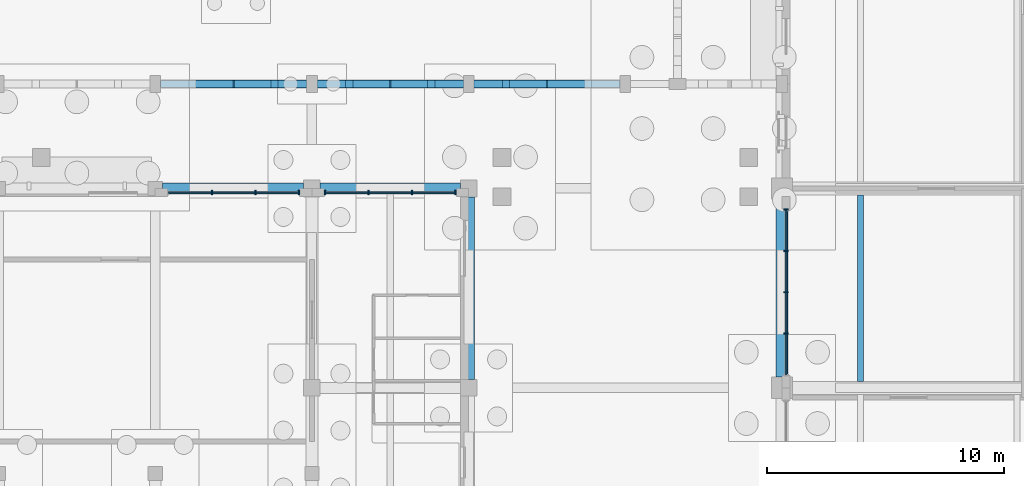
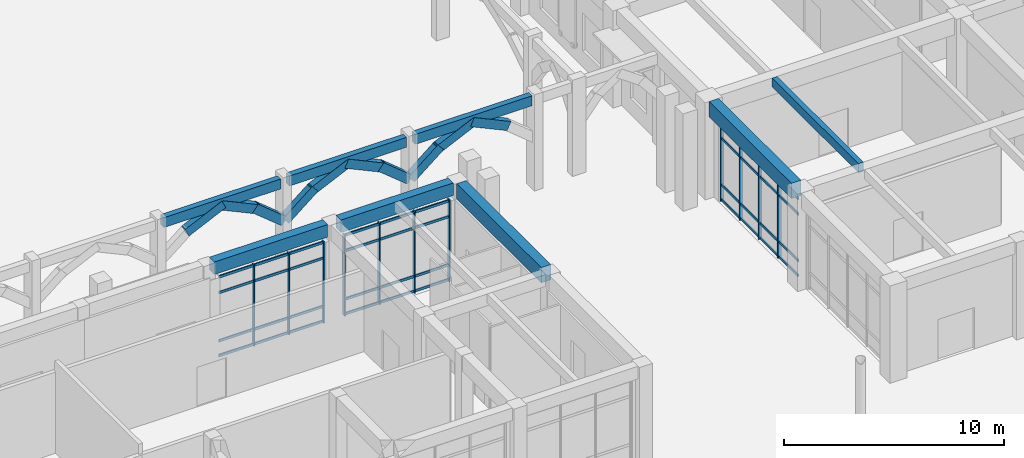
# One storey, part 33 of 82: 33 members, 8 beams, 3 elements without a shape of their own.
"""IFC4 building model written with IfcOpenShell, lengths in metres."""

from ifc_helpers import new_model, si_unit, direction, frame, origin, origin_2d, place, context, subcontext, project, spatial, rectangle, extrude, material, layer, layer_set, material_profile, profile_set, type_object, element, aggregate, save


model = new_model("IFC4")

# Units and contexts
model_context = context("Model", 3, precision=1e-05, world=origin(), true_north=direction((0.0, 1.0)))
body_context = subcontext(model_context, "Body", "Model", "MODEL_VIEW")
ifc_project = project(units=[si_unit("LENGTHUNIT", "METRE"), si_unit("AREAUNIT", "SQUARE_METRE"), si_unit("VOLUMEUNIT", "CUBIC_METRE"), si_unit("PLANEANGLEUNIT", "RADIAN"), si_unit("MASSUNIT", "GRAM", prefix="KILO")], contexts=[model_context])

# Site, building, storey
site_placement = place(None, origin())
site = spatial("IfcSite", under=ifc_project, at=site_placement, CompositionType="ELEMENT")
building_placement = place(site_placement, origin())
building = spatial("IfcBuilding", under=site, at=building_placement, Name="Kolvaren Faculty of Natural Sciences", CompositionType="ELEMENT")
storey_placement = place(building_placement, origin())
storey = spatial("IfcBuildingStorey", under=building, at=storey_placement, Name="L00", CompositionType="ELEMENT", Elevation=0.0)

# Curtain wall, members
ifc_material_1 = material(Name="Thermally broken anodised aluminium framing", Category="aluminium")
ifc_layer_1 = layer(ifc_material_1, 0.179931640625)
ifc_layer_set_1 = layer_set([ifc_layer_1], Name="Thermally broken anodised aluminium framing")
curtain_wall_type_1 = type_object("IfcCurtainWallType", Name="AtriumCurtainWall_CW01", PredefinedType="NOTDEFINED", material=ifc_layer_set_1)
curtain_wall_1_placement = place(storey_placement, origin())
curtain_wall_1 = element("IfcCurtainWall", 1, at=curtain_wall_1_placement, inside=storey, type_object=curtain_wall_type_1, Name="L00 unitised curtain wall CW-01 (CW-L00-011)", PredefinedType="NOTDEFINED")
ifc_material_profile_1 = material_profile(ifc_material_1, rectangle(XDim=0.06005859375, YDim=0.179931640625, at=origin_2d()), Name="ALU MUL 60x180")
ifc_profile_set_1 = profile_set([ifc_material_profile_1], Name="Thermally broken anodised aluminium framing")
member_type_1 = type_object("IfcMemberType", Name="CurtainMullion_60x180", PredefinedType="MULLION", material=ifc_profile_set_1)
member_1_placement = place(storey_placement, frame((94.9833984375, 84.030029296875, 0.0), z_axis=(0.0, 0.0, 1.0), x_axis=(1.0, 0.0, 0.0)))
member_1 = element("IfcMember", 2, at=member_1_placement, type_object=member_type_1, Name="CW-L00-011 vertical mullion 2", PredefinedType="MULLION", context=body_context, shape_type="SweptSolid", body=[
    extrude(rectangle(XDim=0.06005859375, YDim=0.179931640625, at=origin_2d()), origin(), (0.0, 0.0, 1.0), 4.534912109375),
])
member_2_placement = place(storey_placement, frame((96.816650390625, 84.030029296875, 0.0), z_axis=(0.0, 0.0, 1.0), x_axis=(1.0, 0.0, 0.0)))
member_2 = element("IfcMember", 3, at=member_2_placement, type_object=member_type_1, Name="CW-L00-011 vertical mullion 3", PredefinedType="MULLION", context=body_context, shape_type="SweptSolid", body=[
    extrude(rectangle(XDim=0.06005859375, YDim=0.179931640625, at=origin_2d()), origin(), (0.0, 0.0, 1.0), 4.534912109375),
])
member_3_placement = place(storey_placement, frame((98.64990234375, 84.030029296875, 0.0), z_axis=(0.0, 0.0, 1.0), x_axis=(1.0, 0.0, 0.0)))
member_3 = element("IfcMember", 4, at=member_3_placement, type_object=member_type_1, Name="CW-L00-011 vertical mullion 4", PredefinedType="MULLION", context=body_context, shape_type="SweptSolid", body=[
    extrude(rectangle(XDim=0.06005859375, YDim=0.179931640625, at=origin_2d()), origin(), (0.0, 0.0, 1.0), 4.534912109375),
])

curtain_wall_2_placement = place(storey_placement, origin())
curtain_wall_2 = element("IfcCurtainWall", 5, at=curtain_wall_2_placement, inside=storey, type_object=curtain_wall_type_1, Name="L00 unitised curtain wall CW-01 (CW-L00-012)", PredefinedType="NOTDEFINED")
member_4_placement = place(storey_placement, frame((99.75, 84.030029296875, 0.0), z_axis=(0.0, 0.0, 1.0), x_axis=(1.0, 0.0, 0.0)))
member_4 = element("IfcMember", 6, at=member_4_placement, type_object=member_type_1, Name="CW-L00-012 vertical mullion 1", PredefinedType="MULLION", context=body_context, shape_type="SweptSolid", body=[
    extrude(rectangle(XDim=0.06005859375, YDim=0.179931640625, at=origin_2d()), origin(), (0.0, 0.0, 1.0), 4.534912109375),
])
member_5_placement = place(storey_placement, frame((101.583251953125, 84.030029296875, 0.0), z_axis=(0.0, 0.0, 1.0), x_axis=(1.0, 0.0, 0.0)))
member_5 = element("IfcMember", 7, at=member_5_placement, type_object=member_type_1, Name="CW-L00-012 vertical mullion 2", PredefinedType="MULLION", context=body_context, shape_type="SweptSolid", body=[
    extrude(rectangle(XDim=0.06005859375, YDim=0.179931640625, at=origin_2d()), origin(), (0.0, 0.0, 1.0), 4.534912109375),
])
member_6_placement = place(storey_placement, frame((103.416748046875, 84.030029296875, 0.0), z_axis=(0.0, 0.0, 1.0), x_axis=(1.0, 0.0, 0.0)))
member_6 = element("IfcMember", 8, at=member_6_placement, type_object=member_type_1, Name="CW-L00-012 vertical mullion 3", PredefinedType="MULLION", context=body_context, shape_type="SweptSolid", body=[
    extrude(rectangle(XDim=0.06005859375, YDim=0.179931640625, at=origin_2d()), origin(), (0.0, 0.0, 1.0), 4.534912109375),
])
member_7_placement = place(storey_placement, frame((105.25, 84.030029296875, 0.0), z_axis=(0.0, 0.0, 1.0), x_axis=(1.0, 0.0, 0.0)))
member_7 = element("IfcMember", 9, at=member_7_placement, type_object=member_type_1, Name="CW-L00-012 vertical mullion 4", PredefinedType="MULLION", context=body_context, shape_type="SweptSolid", body=[
    extrude(rectangle(XDim=0.06005859375, YDim=0.179931640625, at=origin_2d()), origin(), (0.0, 0.0, 1.0), 4.534912109375),
])

ifc_layer_2 = layer(ifc_material_1, 0.179931640625)
ifc_layer_set_2 = layer_set([ifc_layer_2], Name="Thermally broken anodised aluminium framing")
curtain_wall_type_2 = type_object("IfcCurtainWallType", Name="CommonsCurtainWall_CW02", PredefinedType="NOTDEFINED", material=ifc_layer_set_2)
curtain_wall_3_placement = place(storey_placement, origin())
curtain_wall_3 = element("IfcCurtainWall", 10, at=curtain_wall_3_placement, inside=storey, type_object=curtain_wall_type_2, Name="L00 unitised curtain wall CW-02 (CW-L00-015)", PredefinedType="NOTDEFINED")
member_8_placement = place(storey_placement, frame((119.169921875, 78.090087890625, 0.0), z_axis=(0.0, 0.0, 1.0), x_axis=(0.0, 1.0, 0.0)))
member_8 = element("IfcMember", 11, at=member_8_placement, type_object=member_type_1, Name="CW-L00-015 vertical mullion 2", PredefinedType="MULLION", context=body_context, shape_type="SweptSolid", body=[
    extrude(rectangle(XDim=0.06005859375, YDim=0.179931640625, at=origin_2d()), origin(), (0.0, 0.0, 1.0), 4.43505859375),
])
member_9_placement = place(storey_placement, frame((119.169921875, 79.830078125, 0.0), z_axis=(0.0, 0.0, 1.0), x_axis=(0.0, 1.0, 0.0)))
member_9 = element("IfcMember", 12, at=member_9_placement, type_object=member_type_1, Name="CW-L00-015 vertical mullion 3", PredefinedType="MULLION", context=body_context, shape_type="SweptSolid", body=[
    extrude(rectangle(XDim=0.06005859375, YDim=0.179931640625, at=origin_2d()), origin(), (0.0, 0.0, 1.0), 4.43505859375),
])
member_10_placement = place(storey_placement, frame((119.169921875, 81.570068359375, 0.0), z_axis=(0.0, 0.0, 1.0), x_axis=(0.0, 1.0, 0.0)))
member_10 = element("IfcMember", 13, at=member_10_placement, type_object=member_type_1, Name="CW-L00-015 vertical mullion 4", PredefinedType="MULLION", context=body_context, shape_type="SweptSolid", body=[
    extrude(rectangle(XDim=0.06005859375, YDim=0.179931640625, at=origin_2d()), origin(), (0.0, 0.0, 1.0), 4.43505859375),
])
member_11_placement = place(storey_placement, frame((119.169921875, 83.31005859375, 0.0), z_axis=(0.0, 0.0, 1.0), x_axis=(0.0, 1.0, 0.0)))
member_11 = element("IfcMember", 14, at=member_11_placement, type_object=member_type_1, Name="CW-L00-015 vertical mullion 5", PredefinedType="MULLION", context=body_context, shape_type="SweptSolid", body=[
    extrude(rectangle(XDim=0.06005859375, YDim=0.179931640625, at=origin_2d()), origin(), (0.0, 0.0, 1.0), 4.43505859375),
])

# Member
ifc_material_profile_2 = material_profile(ifc_material_1, rectangle(XDim=0.06005859375, YDim=0.139892578125, at=origin_2d()), Name="ALU TRN 60x140")
ifc_profile_set_2 = profile_set([ifc_material_profile_2], Name="Thermally broken anodised aluminium framing")
member_type_2 = type_object("IfcMemberType", Name="CurtainTransom_60x140", PredefinedType="USERDEFINED", material=ifc_profile_set_2)
member_12_placement = place(storey_placement, frame((93.14990234375, 84.030029296875, 0.080078125), z_axis=(1.0, 0.0, 0.0), x_axis=(0.0, 1.0, 0.0)))
member_12 = element("IfcMember", 15, at=member_12_placement, type_object=member_type_2, Name="CW-L00-011 horizontal transom 1", ObjectType="TRANSOM", PredefinedType="USERDEFINED", context=body_context, shape_type="SweptSolid", body=[
    extrude(rectangle(XDim=0.06005859375, YDim=0.139892578125, at=origin_2d()), origin(), (0.0, 0.0, 1.0), 5.5),
])

member_13_placement = place(storey_placement, frame((93.14990234375, 84.030029296875, 0.89990234375), z_axis=(1.0, 0.0, 0.0), x_axis=(0.0, 1.0, 0.0)))
member_13 = element("IfcMember", 16, at=member_13_placement, type_object=member_type_2, Name="CW-L00-011 horizontal transom 2", ObjectType="TRANSOM", PredefinedType="USERDEFINED", context=body_context, shape_type="SweptSolid", body=[
    extrude(rectangle(XDim=0.06005859375, YDim=0.139892578125, at=origin_2d()), origin(), (0.0, 0.0, 1.0), 5.5),
])

member_14_placement = place(storey_placement, frame((93.14990234375, 84.030029296875, 3.5849609375), z_axis=(1.0, 0.0, 0.0), x_axis=(0.0, 1.0, 0.0)))
member_14 = element("IfcMember", 17, at=member_14_placement, type_object=member_type_2, Name="CW-L00-011 horizontal transom 3", ObjectType="TRANSOM", PredefinedType="USERDEFINED", context=body_context, shape_type="SweptSolid", body=[
    extrude(rectangle(XDim=0.06005859375, YDim=0.139892578125, at=origin_2d()), origin(), (0.0, 0.0, 1.0), 5.5),
])

member_15_placement = place(storey_placement, frame((93.14990234375, 84.030029296875, 4.455078125), z_axis=(1.0, 0.0, 0.0), x_axis=(0.0, 1.0, 0.0)))
member_15 = element("IfcMember", 18, at=member_15_placement, type_object=member_type_2, Name="CW-L00-011 horizontal transom 4", ObjectType="TRANSOM", PredefinedType="USERDEFINED", context=body_context, shape_type="SweptSolid", body=[
    extrude(rectangle(XDim=0.06005859375, YDim=0.139892578125, at=origin_2d()), origin(), (0.0, 0.0, 1.0), 5.5),
])

aggregate(curtain_wall_1, [member_1, member_2, member_3, member_12, member_13, member_14, member_15])

member_16_placement = place(storey_placement, frame((99.75, 84.030029296875, 0.080078125), z_axis=(1.0, 0.0, 0.0), x_axis=(0.0, 1.0, 0.0)))
member_16 = element("IfcMember", 19, at=member_16_placement, type_object=member_type_2, Name="CW-L00-012 horizontal transom 1", ObjectType="TRANSOM", PredefinedType="USERDEFINED", context=body_context, shape_type="SweptSolid", body=[
    extrude(rectangle(XDim=0.06005859375, YDim=0.139892578125, at=origin_2d()), origin(), (0.0, 0.0, 1.0), 5.5),
])

member_17_placement = place(storey_placement, frame((99.75, 84.030029296875, 0.89990234375), z_axis=(1.0, 0.0, 0.0), x_axis=(0.0, 1.0, 0.0)))
member_17 = element("IfcMember", 20, at=member_17_placement, type_object=member_type_2, Name="CW-L00-012 horizontal transom 2", ObjectType="TRANSOM", PredefinedType="USERDEFINED", context=body_context, shape_type="SweptSolid", body=[
    extrude(rectangle(XDim=0.06005859375, YDim=0.139892578125, at=origin_2d()), origin(), (0.0, 0.0, 1.0), 5.5),
])

member_18_placement = place(storey_placement, frame((99.75, 84.030029296875, 3.5849609375), z_axis=(1.0, 0.0, 0.0), x_axis=(0.0, 1.0, 0.0)))
member_18 = element("IfcMember", 21, at=member_18_placement, type_object=member_type_2, Name="CW-L00-012 horizontal transom 3", ObjectType="TRANSOM", PredefinedType="USERDEFINED", context=body_context, shape_type="SweptSolid", body=[
    extrude(rectangle(XDim=0.06005859375, YDim=0.139892578125, at=origin_2d()), origin(), (0.0, 0.0, 1.0), 5.5),
])

member_19_placement = place(storey_placement, frame((99.75, 84.030029296875, 4.455078125), z_axis=(1.0, 0.0, 0.0), x_axis=(0.0, 1.0, 0.0)))
member_19 = element("IfcMember", 22, at=member_19_placement, type_object=member_type_2, Name="CW-L00-012 horizontal transom 4", ObjectType="TRANSOM", PredefinedType="USERDEFINED", context=body_context, shape_type="SweptSolid", body=[
    extrude(rectangle(XDim=0.06005859375, YDim=0.139892578125, at=origin_2d()), origin(), (0.0, 0.0, 1.0), 5.5),
])

aggregate(curtain_wall_2, [member_4, member_5, member_6, member_7, member_16, member_17, member_18, member_19])

member_20_placement = place(storey_placement, frame((119.169921875, 76.35009765625, 0.080078125), z_axis=(0.0, 1.0, 0.0), x_axis=(-1.0, 0.0, 0.0)))
member_20 = element("IfcMember", 23, at=member_20_placement, type_object=member_type_2, Name="CW-L00-015 horizontal transom 1", ObjectType="TRANSOM", PredefinedType="USERDEFINED", context=body_context, shape_type="SweptSolid", body=[
    extrude(rectangle(XDim=0.06005859375, YDim=0.139892578125, at=origin_2d()), origin(), (0.0, 0.0, 1.0), 6.9599609375),
])

member_21_placement = place(storey_placement, frame((119.169921875, 76.35009765625, 0.89990234375), z_axis=(0.0, 1.0, 0.0), x_axis=(-1.0, 0.0, 0.0)))
member_21 = element("IfcMember", 24, at=member_21_placement, type_object=member_type_2, Name="CW-L00-015 horizontal transom 2", ObjectType="TRANSOM", PredefinedType="USERDEFINED", context=body_context, shape_type="SweptSolid", body=[
    extrude(rectangle(XDim=0.06005859375, YDim=0.139892578125, at=origin_2d()), origin(), (0.0, 0.0, 1.0), 6.9599609375),
])

member_22_placement = place(storey_placement, frame((119.169921875, 76.35009765625, 3.485107421875), z_axis=(0.0, 1.0, 0.0), x_axis=(-1.0, 0.0, 0.0)))
member_22 = element("IfcMember", 25, at=member_22_placement, type_object=member_type_2, Name="CW-L00-015 horizontal transom 3", ObjectType="TRANSOM", PredefinedType="USERDEFINED", context=body_context, shape_type="SweptSolid", body=[
    extrude(rectangle(XDim=0.06005859375, YDim=0.139892578125, at=origin_2d()), origin(), (0.0, 0.0, 1.0), 6.9599609375),
])

member_23_placement = place(storey_placement, frame((119.169921875, 76.35009765625, 4.35498046875), z_axis=(0.0, 1.0, 0.0), x_axis=(-1.0, 0.0, 0.0)))
member_23 = element("IfcMember", 26, at=member_23_placement, type_object=member_type_2, Name="CW-L00-015 horizontal transom 4", ObjectType="TRANSOM", PredefinedType="USERDEFINED", context=body_context, shape_type="SweptSolid", body=[
    extrude(rectangle(XDim=0.06005859375, YDim=0.139892578125, at=origin_2d()), origin(), (0.0, 0.0, 1.0), 6.9599609375),
])

aggregate(curtain_wall_3, [member_8, member_9, member_10, member_11, member_20, member_21, member_22, member_23])

# Beam
ifc_material_2 = material(Name="Concrete C35/45", Category="concrete")
ifc_material_profile_3 = material_profile(ifc_material_2, rectangle(XDim=0.260009765625, YDim=0.5, at=origin_2d()), Name="RC JST 260x500")
ifc_profile_set_3 = profile_set([ifc_material_profile_3], Name="Concrete C35/45")
beam_type_1 = type_object("IfcBeamType", Name="LabRibJoist_260x500", PredefinedType="JOIST", material=ifc_profile_set_3)
beam_1_placement = place(storey_placement, frame((122.300048828125, 76.074951171875, 5.14990234375), z_axis=(0.0, 1.0, 0.0), x_axis=(-1.0, 0.0, 0.0)))
element("IfcBeam", 27, at=beam_1_placement, inside=storey, type_object=beam_type_1, Name="L00 ribbed laboratory slab joist JS-50", PredefinedType="JOIST", context=body_context, shape_type="SweptSolid", body=[
    extrude(rectangle(XDim=0.260009765625, YDim=0.5, at=origin_2d()), origin(), (0.0, 0.0, 1.0), 7.85009765625),
])

# Members
ifc_material_3 = material(Name="Precast concrete C35/45", Category="concrete")
ifc_material_profile_4 = material_profile(ifc_material_3, rectangle(XDim=0.320068359375, YDim=0.47998046875, at=origin_2d()), Name="RC ARCH 320x480")
ifc_profile_set_4 = profile_set([ifc_material_profile_4], Name="Precast concrete C35/45")
member_type_3 = type_object("IfcMemberType", Name="MughalPointedArchRib_320x480", PredefinedType="CHORD", material=ifc_profile_set_4)
for number, where, z_axis, x_axis, name in (
    (28, (94.035400390625, 88.60009765625, 3.914794921875), (0.907100951043, 0.0, 0.420913131914), (0.0, 1.0, 0.0), "Pointed Mughal arch rib ARW-S-926 segment 2"),
    (29, (95.827392578125, 88.60009765625, 4.813720703125), (0.907100951043, 0.0, -0.420913131914), (0.0, 1.0, 0.0), "Pointed Mughal arch rib ARW-S-926 segment 3"),
):
    element("IfcMember", number, at=place(storey_placement, frame(where, z_axis=z_axis, x_axis=x_axis)), inside=storey, type_object=member_type_3, Name=name, PredefinedType="CHORD", context=body_context, shape_type="SweptSolid", body=[
        extrude(rectangle(XDim=0.320068359375, YDim=0.47998046875, at=origin_2d()), origin(), (0.0, 0.0, 1.0), 2.1357421875),
    ])
for number, where, z_axis, x_axis, name in (
    (30, (97.6298828125, 88.60009765625, 3.9990234375), (0.774979608522, 0.0, -0.631986239072), (0.0, 1.0, 0.0), "Pointed Mughal arch rib ARW-S-926 segment 4"),
    (31, (99.238037109375, 88.60009765625, 2.74951171875), (0.774930281496, 0.0, 0.632046722023), (0.0, 1.0, 0.0), "Pointed Mughal arch rib ARW-S-992 segment 1"),
):
    element("IfcMember", number, at=place(storey_placement, frame(where, z_axis=z_axis, x_axis=x_axis)), inside=storey, type_object=member_type_3, Name=name, PredefinedType="CHORD", context=body_context, shape_type="SweptSolid", body=[
        extrude(rectangle(XDim=0.320068359375, YDim=0.47998046875, at=origin_2d()), origin(), (0.0, 0.0, 1.0), 1.97705078125),
    ])
for number, where, z_axis, x_axis, name in (
    (32, (100.635498046875, 88.60009765625, 3.914794921875), (0.907080694692, 0.0, 0.420956783193), (0.0, 1.0, 0.0), "Pointed Mughal arch rib ARW-S-992 segment 2"),
    (33, (102.427490234375, 88.60009765625, 4.813720703125), (0.907080694692, 0.0, -0.420956783193), (0.0, 1.0, 0.0), "Pointed Mughal arch rib ARW-S-992 segment 3"),
):
    element("IfcMember", number, at=place(storey_placement, frame(where, z_axis=z_axis, x_axis=x_axis)), inside=storey, type_object=member_type_3, Name=name, PredefinedType="CHORD", context=body_context, shape_type="SweptSolid", body=[
        extrude(rectangle(XDim=0.320068359375, YDim=0.47998046875, at=origin_2d()), origin(), (0.0, 0.0, 1.0), 2.135498046875),
    ])
for number, where, z_axis, x_axis, name in (
    (34, (104.22998046875, 88.60009765625, 3.9990234375), (0.774930281496, 0.0, -0.632046722023), (0.0, 1.0, 0.0), "Pointed Mughal arch rib ARW-S-992 segment 4"),
    (35, (105.837890625, 88.60009765625, 2.74951171875), (0.774979608522, 0.0, 0.631986239072), (0.0, 1.0, 0.0), "Pointed Mughal arch rib ARW-S-1058 segment 1"),
):
    element("IfcMember", number, at=place(storey_placement, frame(where, z_axis=z_axis, x_axis=x_axis)), inside=storey, type_object=member_type_3, Name=name, PredefinedType="CHORD", context=body_context, shape_type="SweptSolid", body=[
        extrude(rectangle(XDim=0.320068359375, YDim=0.47998046875, at=origin_2d()), origin(), (0.0, 0.0, 1.0), 1.97705078125),
    ])
for number, where, z_axis, x_axis, name in (
    (36, (107.2353515625, 88.60009765625, 3.914794921875), (0.907100951043, 0.0, 0.420913131914), (0.0, 1.0, 0.0), "Pointed Mughal arch rib ARW-S-1058 segment 2"),
    (37, (109.02734375, 88.60009765625, 4.813720703125), (0.907100951043, 0.0, -0.420913131914), (0.0, 1.0, 0.0), "Pointed Mughal arch rib ARW-S-1058 segment 3"),
):
    element("IfcMember", number, at=place(storey_placement, frame(where, z_axis=z_axis, x_axis=x_axis)), inside=storey, type_object=member_type_3, Name=name, PredefinedType="CHORD", context=body_context, shape_type="SweptSolid", body=[
        extrude(rectangle(XDim=0.320068359375, YDim=0.47998046875, at=origin_2d()), origin(), (0.0, 0.0, 1.0), 2.1357421875),
    ])

# Beams
ifc_material_profile_5 = material_profile(ifc_material_2, rectangle(XDim=0.300048828125, YDim=0.550048828125, at=origin_2d()), Name="RC SP 300x550")
ifc_profile_set_5 = profile_set([ifc_material_profile_5], Name="Concrete C35/45")
beam_type_2 = type_object("IfcBeamType", Name="PerimeterSpandrel_300x550", PredefinedType="SPANDREL", material=ifc_profile_set_5)
beam_2_placement = place(storey_placement, frame((92.824951171875, 88.60009765625, 4.89501953125), z_axis=(1.0, 0.0, 0.0), x_axis=(0.0, 1.0, 0.0)))
element("IfcBeam", 38, at=beam_2_placement, inside=storey, type_object=beam_type_2, Name="North square riwaq arcade arch-spandrel beam", PredefinedType="SPANDREL", context=body_context, shape_type="SweptSolid", body=[
    extrude(rectangle(XDim=0.300048828125, YDim=0.550048828125, at=origin_2d()), origin(), (0.0, 0.0, 1.0), 6.150146484375),
])
beam_3_placement = place(storey_placement, frame((99.425048828125, 88.60009765625, 4.89501953125), z_axis=(1.0, 0.0, 0.0), x_axis=(0.0, 1.0, 0.0)))
element("IfcBeam", 39, at=beam_3_placement, inside=storey, type_object=beam_type_2, Name="North square riwaq arcade arch-spandrel beam", PredefinedType="SPANDREL", context=body_context, shape_type="SweptSolid", body=[
    extrude(rectangle(XDim=0.300048828125, YDim=0.550048828125, at=origin_2d()), origin(), (0.0, 0.0, 1.0), 6.14990234375),
])
beam_4_placement = place(storey_placement, frame((106.02490234375, 88.60009765625, 4.89501953125), z_axis=(1.0, 0.0, 0.0), x_axis=(0.0, 1.0, 0.0)))
element("IfcBeam", 40, at=beam_4_placement, inside=storey, type_object=beam_type_2, Name="North square riwaq arcade arch-spandrel beam", PredefinedType="SPANDREL", context=body_context, shape_type="SweptSolid", body=[
    extrude(rectangle(XDim=0.300048828125, YDim=0.550048828125, at=origin_2d()), origin(), (0.0, 0.0, 1.0), 6.150146484375),
])
ifc_material_profile_6 = material_profile(ifc_material_2, rectangle(XDim=0.449951171875, YDim=0.699951171875, at=origin_2d()), Name="RC SP 450x700")
ifc_profile_set_6 = profile_set([ifc_material_profile_6], Name="Concrete C35/45")
beam_type_3 = type_object("IfcBeamType", Name="PerimeterSpandrel_450x700", PredefinedType="SPANDREL", material=ifc_profile_set_6)
beam_5_placement = place(storey_placement, frame((92.89990234375, 84.199951171875, 5.050048828125), z_axis=(1.0, 0.0, 0.0), x_axis=(0.0, 1.0, 0.0)))
element("IfcBeam", 41, at=beam_5_placement, inside=storey, type_object=beam_type_3, Name="L00 spandrel SP-70 on grid L", PredefinedType="SPANDREL", context=body_context, shape_type="SweptSolid", body=[
    extrude(rectangle(XDim=0.449951171875, YDim=0.699951171875, at=origin_2d()), origin(), (0.0, 0.0, 1.0), 5.9501953125),
])
beam_6_placement = place(storey_placement, frame((99.550048828125, 84.199951171875, 5.050048828125), z_axis=(1.0, 0.0, 0.0), x_axis=(0.0, 1.0, 0.0)))
element("IfcBeam", 42, at=beam_6_placement, inside=storey, type_object=beam_type_3, Name="L00 spandrel SP-70 on grid L", PredefinedType="SPANDREL", context=body_context, shape_type="SweptSolid", body=[
    extrude(rectangle(XDim=0.449951171875, YDim=0.699951171875, at=origin_2d()), origin(), (0.0, 0.0, 1.0), 5.89990234375),
])
ifc_material_profile_7 = material_profile(ifc_material_2, rectangle(XDim=0.5, YDim=0.85009765625, at=origin_2d()), Name="RC BM 500x850")
ifc_profile_set_7 = profile_set([ifc_material_profile_7], Name="Concrete C35/45")
beam_type_4 = type_object("IfcBeamType", Name="PrimaryGirder_500x850", PredefinedType="BEAM", material=ifc_profile_set_7)
beam_7_placement = place(storey_placement, frame((105.800048828125, 76.14990234375, 4.97509765625), z_axis=(0.0, 1.0, 0.0), x_axis=(-1.0, 0.0, 0.0)))
element("IfcBeam", 43, at=beam_7_placement, inside=storey, type_object=beam_type_4, Name="L00 girder BG-85 on grid 17", PredefinedType="BEAM", context=body_context, shape_type="SweptSolid", body=[
    extrude(rectangle(XDim=0.5, YDim=0.85009765625, at=origin_2d()), origin(), (0.0, 0.0, 1.0), 7.7001953125),
])
beam_8_placement = place(storey_placement, frame((119.0, 76.25, 4.97509765625), z_axis=(0.0, 1.0, 0.0), x_axis=(-1.0, 0.0, 0.0)))
element("IfcBeam", 44, at=beam_8_placement, inside=storey, type_object=beam_type_4, Name="L00 girder BG-85 on grid 19", PredefinedType="BEAM", context=body_context, shape_type="SweptSolid", body=[
    extrude(rectangle(XDim=0.5, YDim=0.85009765625, at=origin_2d()), origin(), (0.0, 0.0, 1.0), 7.5),
])

save(model, "model.ifc")
